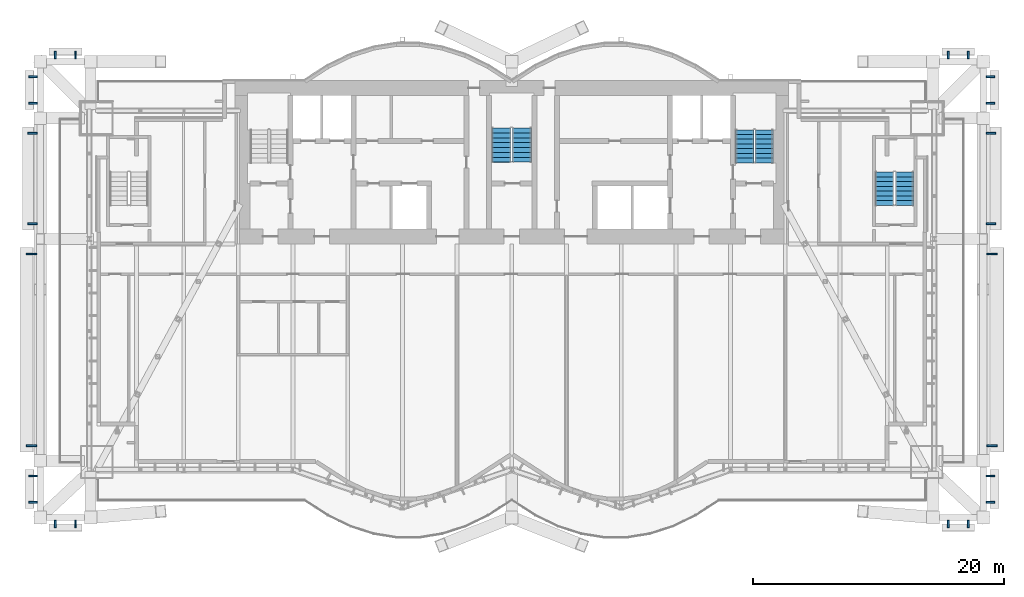
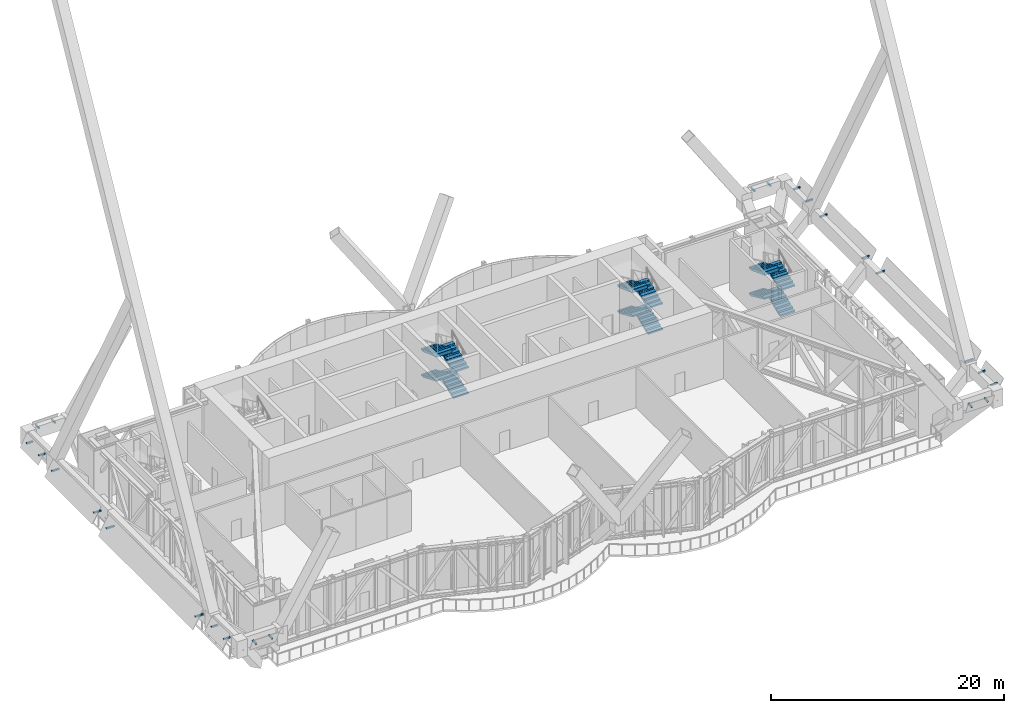
# One storey, part 27 of 30: 24 discrete accessories, 12 stair flights, 3 elements without a shape of their own.
"""IFC4 building model written with IfcOpenShell, lengths in metres."""

from ifc_helpers import new_model, si_unit, direction, frame, origin, origin_2d, place, context, subcontext, project, spatial, polyline, rectangle, outline, extrude, material, type_object, element, aggregate, save


model = new_model("IFC4")

# Units and contexts
model_context = context("Model", 3, precision=1e-05, world=origin(), true_north=direction((0.0, 1.0)))
body_context = subcontext(model_context, "Body", "Model", "MODEL_VIEW")
ifc_project = project(units=[si_unit("LENGTHUNIT", "METRE"), si_unit("AREAUNIT", "SQUARE_METRE"), si_unit("VOLUMEUNIT", "CUBIC_METRE"), si_unit("PLANEANGLEUNIT", "RADIAN"), si_unit("MASSUNIT", "GRAM", prefix="KILO")], contexts=[model_context])

# Site, building, storey
site_placement = place(None, origin())
site = spatial("IfcSite", under=ifc_project, at=site_placement, CompositionType="ELEMENT")
building_placement = place(site_placement, origin())
building = spatial("IfcBuilding", under=site, at=building_placement, Name="Bicima Exchange Tower", CompositionType="ELEMENT")
storey_placement = place(building_placement, frame((0.0, 0.0, 185.5)))
storey = spatial("IfcBuildingStorey", under=building, at=storey_placement, Name="L41", CompositionType="ELEMENT", Elevation=185.5)

# Stair, stair flights
ifc_material_1 = material(Name="Concrete C50/60", Category="concrete")
stair_type_1 = type_object("IfcStairType", Name="Exit stair", PredefinedType="HALF_TURN_STAIR", material=ifc_material_1)
stair_1_placement = place(storey_placement, origin())
stair_1 = element("IfcStair", 1, at=stair_1_placement, inside=storey, type_object=stair_type_1, Name="L41 East exit stair", PredefinedType="HALF_TURN_STAIR")
stair_flight_type_1 = type_object("IfcStairFlightType", Name="Stair flight RC", PredefinedType="STRAIGHT", material=ifc_material_1)
stair_flight_1_placement = place(storey_placement, frame((20.074951171875, -6.550048828125, 0.0), z_axis=(0.0, 0.0, 1.0), x_axis=(0.0, 1.0, 0.0)))
stair_flight_1 = element("IfcStairFlight", 2, at=stair_flight_1_placement, type_object=stair_flight_type_1, Name="ST-E flight 1", NumberOfRisers=8, NumberOfTreads=7, PredefinedType="STRAIGHT", RiserHeight=0.16875, TreadLength=0.375714286, context=body_context, shape_type="SweptSolid", body=[
    extrude(outline(polyline([(0.0, 0.0), (0.0, 0.168701171875), (0.375732421875, 0.168701171875), (0.375732421875, 0.33740234375), (0.75146484375, 0.33740234375), (0.75146484375, 0.50634765625), (1.127197265625, 0.50634765625), (1.127197265625, 0.675048828125), (1.5029296875, 0.675048828125), (1.5029296875, 0.84375), (1.878662109375, 0.84375), (1.878662109375, 1.012451171875), (2.25439453125, 1.012451171875), (2.25439453125, 1.18115234375), (2.6298828125, 1.18115234375), (2.6298828125, 1.35009765625), (2.6298828125, 1.016845703125), (0.365966796875, 0.0), (0.0, 0.0)])), frame((0.0, 0.72509765625, 0.0), z_axis=(0.0, -1.0, 0.0), x_axis=(1.0, 0.0, 0.0)), (0.0, 0.0, 1.0), 1.449951171875),
])
stair_flight_2_placement = place(storey_placement, frame((18.52490234375, -3.919921875, 1.35009765625), z_axis=(0.0, 0.0, 1.0), x_axis=(0.0, -1.0, 0.0)))
stair_flight_2 = element("IfcStairFlight", 3, at=stair_flight_2_placement, type_object=stair_flight_type_1, Name="ST-E flight 2", NumberOfRisers=8, NumberOfTreads=7, PredefinedType="STRAIGHT", RiserHeight=0.16875, TreadLength=0.375714286, context=body_context, shape_type="SweptSolid", body=[
    extrude(outline(polyline([(0.0, 0.0), (0.0, 0.168701171875), (0.375732421875, 0.168701171875), (0.375732421875, 0.33740234375), (0.75146484375, 0.33740234375), (0.75146484375, 0.50634765625), (1.127197265625, 0.50634765625), (1.127197265625, 0.675048828125), (1.5029296875, 0.675048828125), (1.5029296875, 0.84375), (1.878662109375, 0.84375), (1.878662109375, 1.012451171875), (2.25439453125, 1.012451171875), (2.25439453125, 1.18115234375), (2.6298828125, 1.18115234375), (2.6298828125, 1.35009765625), (2.6298828125, 1.016845703125), (0.365966796875, 0.0), (0.0, 0.0)])), frame((0.0, 0.72509765625, 0.0), z_axis=(0.0, -1.0, 0.0), x_axis=(1.0, 0.0, 0.0)), (0.0, 0.0, 1.0), 1.449951171875),
])
stair_flight_3_placement = place(storey_placement, frame((20.074951171875, -6.550048828125, 2.699951171875), z_axis=(0.0, 0.0, 1.0), x_axis=(0.0, 1.0, 0.0)))
stair_flight_3 = element("IfcStairFlight", 4, at=stair_flight_3_placement, type_object=stair_flight_type_1, Name="ST-E flight 3", NumberOfRisers=8, NumberOfTreads=7, PredefinedType="STRAIGHT", RiserHeight=0.16875, TreadLength=0.375714286, context=body_context, shape_type="SweptSolid", body=[
    extrude(outline(polyline([(0.0, 0.0), (0.0, 0.168701171875), (0.375732421875, 0.168701171875), (0.375732421875, 0.33740234375), (0.75146484375, 0.33740234375), (0.75146484375, 0.50634765625), (1.127197265625, 0.50634765625), (1.127197265625, 0.675048828125), (1.5029296875, 0.675048828125), (1.5029296875, 0.84375), (1.878662109375, 0.84375), (1.878662109375, 1.012451171875), (2.25439453125, 1.012451171875), (2.25439453125, 1.18115234375), (2.6298828125, 1.18115234375), (2.6298828125, 1.35009765625), (2.6298828125, 1.016845703125), (0.365966796875, 0.0), (0.0, 0.0)])), frame((0.0, 0.72509765625, 0.0), z_axis=(0.0, -1.0, 0.0), x_axis=(1.0, 0.0, 0.0)), (0.0, 0.0, 1.0), 1.449951171875),
])
stair_flight_4_placement = place(storey_placement, frame((18.52490234375, -3.919921875, 4.050048828125), z_axis=(0.0, 0.0, 1.0), x_axis=(0.0, -1.0, 0.0)))
stair_flight_4 = element("IfcStairFlight", 5, at=stair_flight_4_placement, type_object=stair_flight_type_1, Name="ST-E flight 4", NumberOfRisers=8, NumberOfTreads=7, PredefinedType="STRAIGHT", RiserHeight=0.16875, TreadLength=0.375714286, context=body_context, shape_type="SweptSolid", body=[
    extrude(outline(polyline([(0.0, 0.0), (0.0, 0.168701171875), (0.375732421875, 0.168701171875), (0.375732421875, 0.33740234375), (0.75146484375, 0.33740234375), (0.75146484375, 0.50634765625), (1.127197265625, 0.50634765625), (1.127197265625, 0.675048828125), (1.5029296875, 0.675048828125), (1.5029296875, 0.84375), (1.878662109375, 0.84375), (1.878662109375, 1.012451171875), (2.25439453125, 1.012451171875), (2.25439453125, 1.18115234375), (2.6298828125, 1.18115234375), (2.6298828125, 1.2041015625), (2.64501953125, 1.2041015625), (2.64501953125, 0.85498046875), (0.365966796875, 0.0), (0.0, 0.0)])), frame((0.0, 0.72509765625, 0.0), z_axis=(0.0, -1.0, 0.0), x_axis=(1.0, 0.0, 0.0)), (0.0, 0.0, 1.0), 1.449951171875),
])
aggregate(stair_1, [stair_flight_1, stair_flight_2, stair_flight_3, stair_flight_4])

stair_2_placement = place(storey_placement, origin())
stair_2 = element("IfcStair", 6, at=stair_2_placement, inside=storey, type_object=stair_type_1, Name="L41 East end exit stair", PredefinedType="HALF_TURN_STAIR")
stair_flight_5_placement = place(storey_placement, frame((31.25, -9.925048828125, 0.0), z_axis=(0.0, 0.0, 1.0), x_axis=(0.0, 1.0, 0.0)))
stair_flight_5 = element("IfcStairFlight", 7, at=stair_flight_5_placement, type_object=stair_flight_type_1, Name="ST-EE flight 1", NumberOfRisers=8, NumberOfTreads=7, PredefinedType="STRAIGHT", RiserHeight=0.16875, TreadLength=0.375714286, context=body_context, shape_type="SweptSolid", body=[
    extrude(outline(polyline([(0.0, 0.0), (0.0, 0.168701171875), (0.375732421875, 0.168701171875), (0.375732421875, 0.33740234375), (0.75146484375, 0.33740234375), (0.75146484375, 0.50634765625), (1.127197265625, 0.50634765625), (1.127197265625, 0.675048828125), (1.5029296875, 0.675048828125), (1.5029296875, 0.84375), (1.878662109375, 0.84375), (1.878662109375, 1.012451171875), (2.25439453125, 1.012451171875), (2.25439453125, 1.18115234375), (2.6298828125, 1.18115234375), (2.6298828125, 1.35009765625), (2.6298828125, 1.016845703125), (0.365966796875, 0.0), (0.0, 0.0)])), frame((0.0, 0.72509765625, 0.0), z_axis=(0.0, -1.0, 0.0), x_axis=(1.0, 0.0, 0.0)), (0.0, 0.0, 1.0), 1.449951171875),
])
stair_flight_6_placement = place(storey_placement, frame((29.64990234375, -7.294921875, 1.35009765625), z_axis=(0.0, 0.0, 1.0), x_axis=(0.0, -1.0, 0.0)))
stair_flight_6 = element("IfcStairFlight", 8, at=stair_flight_6_placement, type_object=stair_flight_type_1, Name="ST-EE flight 2", NumberOfRisers=8, NumberOfTreads=7, PredefinedType="STRAIGHT", RiserHeight=0.16875, TreadLength=0.375714286, context=body_context, shape_type="SweptSolid", body=[
    extrude(outline(polyline([(0.0, 0.0), (0.0, 0.168701171875), (0.375732421875, 0.168701171875), (0.375732421875, 0.33740234375), (0.75146484375, 0.33740234375), (0.75146484375, 0.50634765625), (1.127197265625, 0.50634765625), (1.127197265625, 0.675048828125), (1.5029296875, 0.675048828125), (1.5029296875, 0.84375), (1.878662109375, 0.84375), (1.878662109375, 1.012451171875), (2.25439453125, 1.012451171875), (2.25439453125, 1.18115234375), (2.6298828125, 1.18115234375), (2.6298828125, 1.35009765625), (2.6298828125, 1.016845703125), (0.365966796875, 0.0), (0.0, 0.0)])), frame((0.0, 0.72509765625, 0.0), z_axis=(0.0, -1.0, 0.0), x_axis=(1.0, 0.0, 0.0)), (0.0, 0.0, 1.0), 1.449951171875),
])
stair_flight_7_placement = place(storey_placement, frame((31.25, -9.925048828125, 2.699951171875), z_axis=(0.0, 0.0, 1.0), x_axis=(0.0, 1.0, 0.0)))
stair_flight_7 = element("IfcStairFlight", 9, at=stair_flight_7_placement, type_object=stair_flight_type_1, Name="ST-EE flight 3", NumberOfRisers=8, NumberOfTreads=7, PredefinedType="STRAIGHT", RiserHeight=0.16875, TreadLength=0.375714286, context=body_context, shape_type="SweptSolid", body=[
    extrude(outline(polyline([(0.0, 0.0), (0.0, 0.168701171875), (0.375732421875, 0.168701171875), (0.375732421875, 0.33740234375), (0.75146484375, 0.33740234375), (0.75146484375, 0.50634765625), (1.127197265625, 0.50634765625), (1.127197265625, 0.675048828125), (1.5029296875, 0.675048828125), (1.5029296875, 0.84375), (1.878662109375, 0.84375), (1.878662109375, 1.012451171875), (2.25439453125, 1.012451171875), (2.25439453125, 1.18115234375), (2.6298828125, 1.18115234375), (2.6298828125, 1.35009765625), (2.6298828125, 1.016845703125), (0.365966796875, 0.0), (0.0, 0.0)])), frame((0.0, 0.72509765625, 0.0), z_axis=(0.0, -1.0, 0.0), x_axis=(1.0, 0.0, 0.0)), (0.0, 0.0, 1.0), 1.449951171875),
])
stair_flight_8_placement = place(storey_placement, frame((29.64990234375, -7.294921875, 4.050048828125), z_axis=(0.0, 0.0, 1.0), x_axis=(0.0, -1.0, 0.0)))
stair_flight_8 = element("IfcStairFlight", 10, at=stair_flight_8_placement, type_object=stair_flight_type_1, Name="ST-EE flight 4", NumberOfRisers=8, NumberOfTreads=7, PredefinedType="STRAIGHT", RiserHeight=0.16875, TreadLength=0.375714286, context=body_context, shape_type="SweptSolid", body=[
    extrude(outline(polyline([(0.0, 0.0), (0.0, 0.168701171875), (0.375732421875, 0.168701171875), (0.375732421875, 0.33740234375), (0.75146484375, 0.33740234375), (0.75146484375, 0.50634765625), (1.127197265625, 0.50634765625), (1.127197265625, 0.675048828125), (1.5029296875, 0.675048828125), (1.5029296875, 0.84375), (1.878662109375, 0.84375), (1.878662109375, 1.012451171875), (2.25439453125, 1.012451171875), (2.25439453125, 1.18115234375), (2.6298828125, 1.18115234375), (2.6298828125, 1.2041015625), (2.64501953125, 1.2041015625), (2.64501953125, 0.85498046875), (0.365966796875, 0.0), (0.0, 0.0)])), frame((0.0, 0.72509765625, 0.0), z_axis=(0.0, -1.0, 0.0), x_axis=(1.0, 0.0, 0.0)), (0.0, 0.0, 1.0), 1.449951171875),
])
aggregate(stair_2, [stair_flight_5, stair_flight_6, stair_flight_7, stair_flight_8])

stair_type_2 = type_object("IfcStairType", Name="Exit stair 1500", PredefinedType="HALF_TURN_STAIR", material=ifc_material_1)
stair_3_placement = place(storey_placement, origin())
stair_3 = element("IfcStair", 11, at=stair_3_placement, inside=storey, type_object=stair_type_2, Name="L41 Central exit stair", PredefinedType="HALF_TURN_STAIR")
stair_flight_type_2 = type_object("IfcStairFlightType", Name="Stair flight RC 1500", PredefinedType="STRAIGHT", material=ifc_material_1)
stair_flight_9_placement = place(storey_placement, frame((0.824951171875, -6.5, 0.0), z_axis=(0.0, 0.0, 1.0), x_axis=(0.0, 1.0, 0.0)))
stair_flight_9 = element("IfcStairFlight", 12, at=stair_flight_9_placement, type_object=stair_flight_type_2, Name="ST-C flight 1", NumberOfRisers=8, NumberOfTreads=7, PredefinedType="STRAIGHT", RiserHeight=0.16875, TreadLength=0.388571429, context=body_context, shape_type="SweptSolid", body=[
    extrude(outline(polyline([(0.0, 0.0), (0.0, 0.168701171875), (0.388671875, 0.168701171875), (0.388671875, 0.33740234375), (0.777099609375, 0.33740234375), (0.777099609375, 0.50634765625), (1.165771484375, 0.50634765625), (1.165771484375, 0.675048828125), (1.55419921875, 0.675048828125), (1.55419921875, 0.84375), (1.94287109375, 0.84375), (1.94287109375, 1.012451171875), (2.33154296875, 1.012451171875), (2.33154296875, 1.18115234375), (2.719970703125, 1.18115234375), (2.719970703125, 1.35009765625), (2.719970703125, 1.017822265625), (0.376220703125, 0.0), (0.0, 0.0)])), frame((0.0, 0.75, 0.0), z_axis=(0.0, -1.0, 0.0), x_axis=(1.0, 0.0, 0.0)), (0.0, 0.0, 1.0), 1.5),
])
stair_flight_10_placement = place(storey_placement, frame((-0.824951171875, -3.780029296875, 1.35009765625), z_axis=(0.0, 0.0, 1.0), x_axis=(0.0, -1.0, 0.0)))
stair_flight_10 = element("IfcStairFlight", 13, at=stair_flight_10_placement, type_object=stair_flight_type_2, Name="ST-C flight 2", NumberOfRisers=8, NumberOfTreads=7, PredefinedType="STRAIGHT", RiserHeight=0.16875, TreadLength=0.388571429, context=body_context, shape_type="SweptSolid", body=[
    extrude(outline(polyline([(0.0, 0.0), (0.0, 0.168701171875), (0.388671875, 0.168701171875), (0.388671875, 0.33740234375), (0.777099609375, 0.33740234375), (0.777099609375, 0.50634765625), (1.165771484375, 0.50634765625), (1.165771484375, 0.675048828125), (1.55419921875, 0.675048828125), (1.55419921875, 0.84375), (1.94287109375, 0.84375), (1.94287109375, 1.012451171875), (2.33154296875, 1.012451171875), (2.33154296875, 1.18115234375), (2.719970703125, 1.18115234375), (2.719970703125, 1.35009765625), (2.719970703125, 1.017822265625), (0.376220703125, 0.0), (0.0, 0.0)])), frame((0.0, 0.75, 0.0), z_axis=(0.0, -1.0, 0.0), x_axis=(1.0, 0.0, 0.0)), (0.0, 0.0, 1.0), 1.5),
])
stair_flight_11_placement = place(storey_placement, frame((0.824951171875, -6.5, 2.699951171875), z_axis=(0.0, 0.0, 1.0), x_axis=(0.0, 1.0, 0.0)))
stair_flight_11 = element("IfcStairFlight", 14, at=stair_flight_11_placement, type_object=stair_flight_type_2, Name="ST-C flight 3", NumberOfRisers=8, NumberOfTreads=7, PredefinedType="STRAIGHT", RiserHeight=0.16875, TreadLength=0.388571429, context=body_context, shape_type="SweptSolid", body=[
    extrude(outline(polyline([(0.0, 0.0), (0.0, 0.168701171875), (0.388671875, 0.168701171875), (0.388671875, 0.33740234375), (0.777099609375, 0.33740234375), (0.777099609375, 0.50634765625), (1.165771484375, 0.50634765625), (1.165771484375, 0.675048828125), (1.55419921875, 0.675048828125), (1.55419921875, 0.84375), (1.94287109375, 0.84375), (1.94287109375, 1.012451171875), (2.33154296875, 1.012451171875), (2.33154296875, 1.18115234375), (2.719970703125, 1.18115234375), (2.719970703125, 1.35009765625), (2.719970703125, 1.017822265625), (0.376220703125, 0.0), (0.0, 0.0)])), frame((0.0, 0.75, 0.0), z_axis=(0.0, -1.0, 0.0), x_axis=(1.0, 0.0, 0.0)), (0.0, 0.0, 1.0), 1.5),
])
stair_flight_12_placement = place(storey_placement, frame((-0.824951171875, -3.780029296875, 4.050048828125), z_axis=(0.0, 0.0, 1.0), x_axis=(0.0, -1.0, 0.0)))
stair_flight_12 = element("IfcStairFlight", 15, at=stair_flight_12_placement, type_object=stair_flight_type_2, Name="ST-C flight 4", NumberOfRisers=8, NumberOfTreads=7, PredefinedType="STRAIGHT", RiserHeight=0.16875, TreadLength=0.388571429, context=body_context, shape_type="SweptSolid", body=[
    extrude(outline(polyline([(0.0, 0.0), (0.0, 0.168701171875), (0.388671875, 0.168701171875), (0.388671875, 0.33740234375), (0.777099609375, 0.33740234375), (0.777099609375, 0.50634765625), (1.165771484375, 0.50634765625), (1.165771484375, 0.675048828125), (1.55419921875, 0.675048828125), (1.55419921875, 0.84375), (1.94287109375, 0.84375), (1.94287109375, 1.012451171875), (2.33154296875, 1.012451171875), (2.33154296875, 1.18115234375), (2.719970703125, 1.18115234375), (2.719970703125, 1.2041015625), (2.735107421875, 1.2041015625), (2.735107421875, 0.85546875), (0.376220703125, 0.0), (0.0, 0.0)])), frame((0.0, 0.75, 0.0), z_axis=(0.0, -1.0, 0.0), x_axis=(1.0, 0.0, 0.0)), (0.0, 0.0, 1.0), 1.5),
])
aggregate(stair_3, [stair_flight_9, stair_flight_10, stair_flight_11, stair_flight_12])

# Discrete accessories
ifc_material_2 = material(Name="Steel ASTM A572 Gr 50", Category="steel")
discrete_accessory_type = type_object("IfcDiscreteAccessoryType", Name="Belt fascia bracket", PredefinedType="BRACKET", material=ifc_material_2)
for number, where, z_axis, x_axis, name in (
    (16, (-36.300048828125, -35.283203125, 4.574951171875), (0.0, 0.0, 1.0), (1.0, 0.0, 0.0), "Belt fascia bracket"),
    (17, (-34.699951171875, -35.283203125, 4.574951171875), (0.0, 0.0, 1.0), (1.0, 0.0, 0.0), "Belt fascia bracket"),
    (18, (34.699951171875, -35.283203125, 4.574951171875), (0.0, 0.0, 1.0), (1.0, 0.0, 0.0), "Belt fascia bracket"),
    (19, (36.300048828125, -35.283203125, 4.574951171875), (0.0, 0.0, 1.0), (1.0, 0.0, 0.0), "Belt fascia bracket"),
):
    element("IfcDiscreteAccessory", number, at=place(storey_placement, frame(where, z_axis=z_axis, x_axis=x_axis)), inside=storey, type_object=discrete_accessory_type, Name=name, PredefinedType="BRACKET", context=body_context, shape_type="SweptSolid", body=[
        extrude(rectangle(XDim=0.14990234375, YDim=0.59326171875, at=origin_2d()), origin(), (0.0, 0.0, 1.0), 0.14990234375),
    ])
for number, where, z_axis, x_axis, name in (
    (20, (38.065673828125, -33.556640625, 4.574951171875), (0.0, 0.0, 1.0), (0.0, 1.0, 0.0), "Belt fascia bracket"),
    (21, (38.065673828125, -31.456787109375, 4.574951171875), (0.0, 0.0, 1.0), (0.0, 1.0, 0.0), "Belt fascia bracket"),
):
    element("IfcDiscreteAccessory", number, at=place(storey_placement, frame(where, z_axis=z_axis, x_axis=x_axis)), inside=storey, type_object=discrete_accessory_type, Name=name, PredefinedType="BRACKET", context=body_context, shape_type="SweptSolid", body=[
        extrude(rectangle(XDim=0.14990234375, YDim=0.671142578125, at=origin_2d()), origin(), (0.0, 0.0, 1.0), 0.14990234375),
    ])
for number, where, z_axis, x_axis, name in (
    (22, (38.197998046875, -29.056640625, 4.275146484375), (0.0, 0.0, 1.0), (0.0, 1.0, 0.0), "Belt fascia bracket"),
    (23, (38.197998046875, -13.800048828125, 4.275146484375), (0.0, 0.0, 1.0), (0.0, 1.0, 0.0), "Belt fascia bracket"),
):
    element("IfcDiscreteAccessory", number, at=place(storey_placement, frame(where, z_axis=z_axis, x_axis=x_axis)), inside=storey, type_object=discrete_accessory_type, Name=name, PredefinedType="BRACKET", context=body_context, shape_type="SweptSolid", body=[
        extrude(rectangle(XDim=0.14990234375, YDim=0.8359375, at=origin_2d()), origin(), (0.0, 0.0, 1.0), 0.14990234375),
    ])
for number, where, z_axis, x_axis, name in (
    (24, (38.106689453125, -11.39990234375, 4.425048828125), (0.0, 0.0, 1.0), (0.0, 1.0, 0.0), "Belt fascia bracket"),
    (25, (38.106689453125, -4.199951171875, 4.425048828125), (0.0, 0.0, 1.0), (0.0, 1.0, 0.0), "Belt fascia bracket"),
):
    element("IfcDiscreteAccessory", number, at=place(storey_placement, frame(where, z_axis=z_axis, x_axis=x_axis)), inside=storey, type_object=discrete_accessory_type, Name=name, PredefinedType="BRACKET", context=body_context, shape_type="SweptSolid", body=[
        extrude(rectangle(XDim=0.14990234375, YDim=0.75341796875, at=origin_2d()), origin(), (0.0, 0.0, 1.0), 0.14990234375),
    ])
for number, where, z_axis, x_axis, name in (
    (26, (38.065673828125, -1.800048828125, 4.574951171875), (0.0, 0.0, 1.0), (0.0, 1.0, 0.0), "Belt fascia bracket"),
    (27, (38.065673828125, 0.300048828125, 4.574951171875), (0.0, 0.0, 1.0), (0.0, 1.0, 0.0), "Belt fascia bracket"),
):
    element("IfcDiscreteAccessory", number, at=place(storey_placement, frame(where, z_axis=z_axis, x_axis=x_axis)), inside=storey, type_object=discrete_accessory_type, Name=name, PredefinedType="BRACKET", context=body_context, shape_type="SweptSolid", body=[
        extrude(rectangle(XDim=0.14990234375, YDim=0.671142578125, at=origin_2d()), origin(), (0.0, 0.0, 1.0), 0.14990234375),
    ])
for number, where, z_axis, x_axis, name in (
    (28, (36.300048828125, 2.026611328125, 4.574951171875), (0.0, 0.0, 1.0), (-1.0, 0.0, 0.0), "Belt fascia bracket"),
    (29, (34.699951171875, 2.026611328125, 4.574951171875), (0.0, 0.0, 1.0), (-1.0, 0.0, 0.0), "Belt fascia bracket"),
    (30, (-34.699951171875, 2.026611328125, 4.574951171875), (0.0, 0.0, 1.0), (-1.0, 0.0, 0.0), "Belt fascia bracket"),
    (31, (-36.300048828125, 2.026611328125, 4.574951171875), (0.0, 0.0, 1.0), (-1.0, 0.0, 0.0), "Belt fascia bracket"),
):
    element("IfcDiscreteAccessory", number, at=place(storey_placement, frame(where, z_axis=z_axis, x_axis=x_axis)), inside=storey, type_object=discrete_accessory_type, Name=name, PredefinedType="BRACKET", context=body_context, shape_type="SweptSolid", body=[
        extrude(rectangle(XDim=0.14990234375, YDim=0.59326171875, at=origin_2d()), origin(), (0.0, 0.0, 1.0), 0.14990234375),
    ])
for number, where, z_axis, x_axis, name in (
    (32, (-38.065673828125, 0.300048828125, 4.574951171875), (0.0, 0.0, 1.0), (0.0, -1.0, 0.0), "Belt fascia bracket"),
    (33, (-38.065673828125, -1.800048828125, 4.574951171875), (0.0, 0.0, 1.0), (0.0, -1.0, 0.0), "Belt fascia bracket"),
):
    element("IfcDiscreteAccessory", number, at=place(storey_placement, frame(where, z_axis=z_axis, x_axis=x_axis)), inside=storey, type_object=discrete_accessory_type, Name=name, PredefinedType="BRACKET", context=body_context, shape_type="SweptSolid", body=[
        extrude(rectangle(XDim=0.14990234375, YDim=0.671142578125, at=origin_2d()), origin(), (0.0, 0.0, 1.0), 0.14990234375),
    ])
for number, where, z_axis, x_axis, name in (
    (34, (-38.106689453125, -4.199951171875, 4.425048828125), (0.0, 0.0, 1.0), (0.0, -1.0, 0.0), "Belt fascia bracket"),
    (35, (-38.106689453125, -11.39990234375, 4.425048828125), (0.0, 0.0, 1.0), (0.0, -1.0, 0.0), "Belt fascia bracket"),
):
    element("IfcDiscreteAccessory", number, at=place(storey_placement, frame(where, z_axis=z_axis, x_axis=x_axis)), inside=storey, type_object=discrete_accessory_type, Name=name, PredefinedType="BRACKET", context=body_context, shape_type="SweptSolid", body=[
        extrude(rectangle(XDim=0.14990234375, YDim=0.75341796875, at=origin_2d()), origin(), (0.0, 0.0, 1.0), 0.14990234375),
    ])
for number, where, z_axis, x_axis, name in (
    (36, (-38.197998046875, -13.800048828125, 4.275146484375), (0.0, 0.0, 1.0), (0.0, -1.0, 0.0), "Belt fascia bracket"),
    (37, (-38.197998046875, -29.056640625, 4.275146484375), (0.0, 0.0, 1.0), (0.0, -1.0, 0.0), "Belt fascia bracket"),
):
    element("IfcDiscreteAccessory", number, at=place(storey_placement, frame(where, z_axis=z_axis, x_axis=x_axis)), inside=storey, type_object=discrete_accessory_type, Name=name, PredefinedType="BRACKET", context=body_context, shape_type="SweptSolid", body=[
        extrude(rectangle(XDim=0.14990234375, YDim=0.8359375, at=origin_2d()), origin(), (0.0, 0.0, 1.0), 0.14990234375),
    ])
for number, where, z_axis, x_axis, name in (
    (38, (-38.065673828125, -31.456787109375, 4.574951171875), (0.0, 0.0, 1.0), (0.0, -1.0, 0.0), "Belt fascia bracket"),
    (39, (-38.065673828125, -33.556640625, 4.574951171875), (0.0, 0.0, 1.0), (0.0, -1.0, 0.0), "Belt fascia bracket"),
):
    element("IfcDiscreteAccessory", number, at=place(storey_placement, frame(where, z_axis=z_axis, x_axis=x_axis)), inside=storey, type_object=discrete_accessory_type, Name=name, PredefinedType="BRACKET", context=body_context, shape_type="SweptSolid", body=[
        extrude(rectangle(XDim=0.14990234375, YDim=0.671142578125, at=origin_2d()), origin(), (0.0, 0.0, 1.0), 0.14990234375),
    ])

save(model, "model.ifc")
